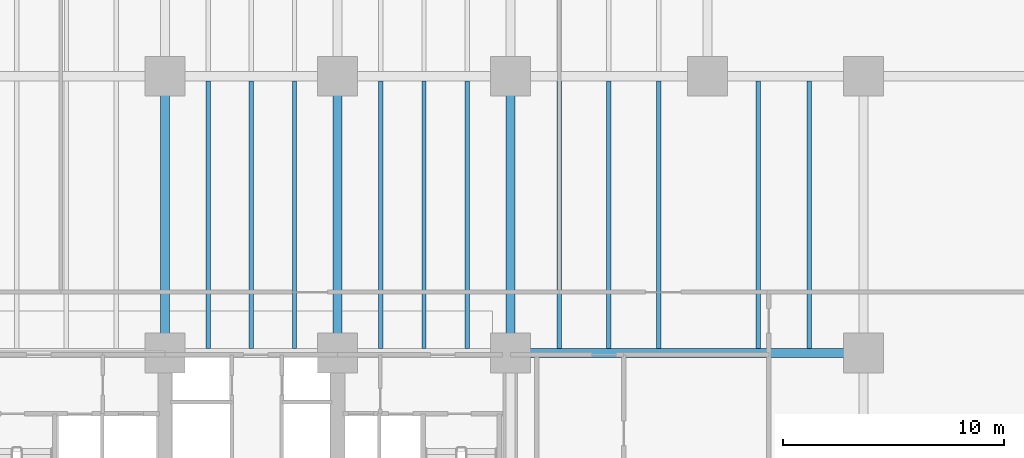
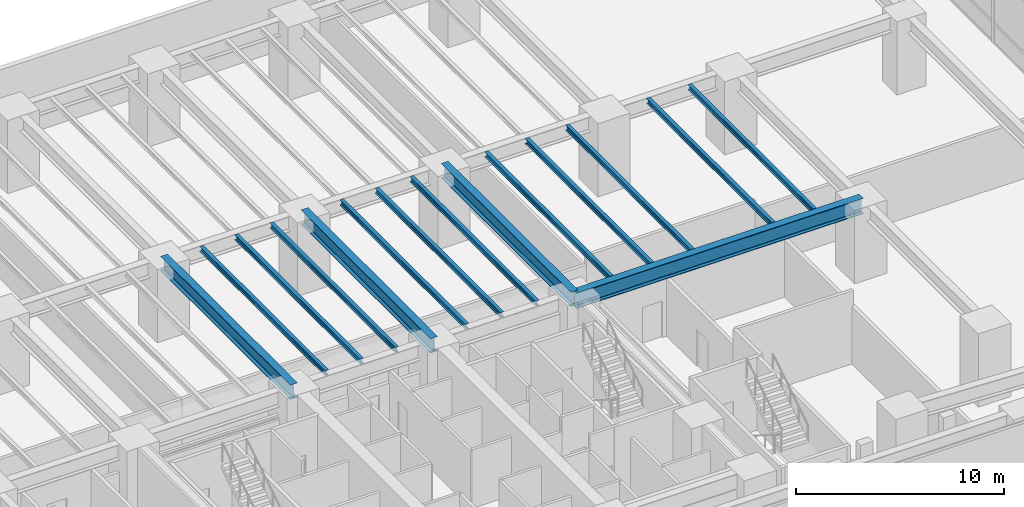
# One storey, part 4 of 27: 15 beams.
"""IFC4 building model written with IfcOpenShell, lengths in metres."""

from ifc_helpers import new_model, si_unit, direction, frame, origin, origin_2d, place, context, subcontext, project, spatial, i_section, extrude, material, material_profile, profile_set, type_object, element, save


model = new_model("IFC4")

# Units and contexts
model_context = context("Model", 3, precision=1e-05, world=origin(), true_north=direction((0.0, 1.0)))
body_context = subcontext(model_context, "Body", "Model", "MODEL_VIEW")
ifc_project = project(units=[si_unit("LENGTHUNIT", "METRE"), si_unit("AREAUNIT", "SQUARE_METRE"), si_unit("VOLUMEUNIT", "CUBIC_METRE"), si_unit("PLANEANGLEUNIT", "RADIAN"), si_unit("MASSUNIT", "GRAM", prefix="KILO")], contexts=[model_context])

# Site, building, storey
site_placement = place(None, origin())
site = spatial("IfcSite", under=ifc_project, at=site_placement, CompositionType="ELEMENT")
building_placement = place(site_placement, origin())
building = spatial("IfcBuilding", under=site, at=building_placement, Name="Qalmaran Belvedere Hotel", CompositionType="ELEMENT")
storey_placement = place(building_placement, frame((0.0, 0.0, 5.39990234375)))
storey = spatial("IfcBuildingStorey", under=building, at=storey_placement, Name="L01", CompositionType="ELEMENT", Elevation=5.39990234375)

# Beams
ifc_material = material(Name="Steel S355JR", Category="steel")
ifc_material_profile_1 = material_profile(ifc_material, i_section(OverallWidth=0.202880859375, OverallDepth=0.302978515625, WebThickness=0.007568359375, FlangeThickness=0.01318359375, FilletRadius=0.012939453125, at=origin_2d()), Name="W310X60")
ifc_profile_set_1 = profile_set([ifc_material_profile_1], Name="Steel S355JR")
beam_type_1 = type_object("IfcBeamType", Name="BM-JST-W310X60", PredefinedType="JOIST", material=ifc_profile_set_1)
for number, where, z_axis, x_axis, name in (
    (1, (31.14990234375, 20.70703125, 4.148681640625), (0.0, 1.0, 0.0), (-1.0, 0.0, 0.0), "L01 Podium South-Ballroom Joist 066"),
    (2, (33.10009765625, 20.70703125, 4.148681640625), (0.0, 1.0, 0.0), (-1.0, 0.0, 0.0), "L01 Podium South-Ballroom Joist 068"),
    (3, (35.050048828125, 20.70703125, 4.148681640625), (0.0, 1.0, 0.0), (-1.0, 0.0, 0.0), "L01 Podium South-Ballroom Joist 070"),
    (4, (38.949951171875, 20.70703125, 4.148681640625), (0.0, 1.0, 0.0), (-1.0, 0.0, 0.0), "L01 Podium South-Ballroom Joist 072"),
    (5, (40.89990234375, 20.70703125, 4.148681640625), (0.0, 1.0, 0.0), (-1.0, 0.0, 0.0), "L01 Podium South-Ballroom Joist 074"),
    (6, (42.85009765625, 20.70703125, 4.148681640625), (0.0, 1.0, 0.0), (-1.0, 0.0, 0.0), "L01 Podium South-Ballroom Joist 076"),
    (7, (47.0, 20.70703125, 4.148681640625), (0.0, 1.0, 0.0), (-1.0, 0.0, 0.0), "L01 Podium South-Ballroom Joist 078"),
    (8, (49.25, 20.70703125, 4.148681640625), (0.0, 1.0, 0.0), (-1.0, 0.0, 0.0), "L01 Podium South-Ballroom Joist 080"),
    (9, (51.5, 20.70703125, 4.148681640625), (0.0, 1.0, 0.0), (-1.0, 0.0, 0.0), "L01 Podium South-Ballroom Joist 082"),
    (10, (56.0, 20.70703125, 4.148681640625), (0.0, 1.0, 0.0), (-1.0, 0.0, 0.0), "L01 Podium South-Ballroom Joist 084"),
    (11, (58.300048828125, 20.70703125, 4.148681640625), (0.0, 1.0, 0.0), (-1.0, 0.0, 0.0), "L01 Podium South-Ballroom Joist 085"),
):
    element("IfcBeam", number, at=place(storey_placement, frame(where, z_axis=z_axis, x_axis=x_axis)), inside=storey, type_object=beam_type_1, Name=name, PredefinedType="JOIST", context=body_context, shape_type="SweptSolid", body=[
        extrude(i_section(OverallWidth=0.202880859375, OverallDepth=0.302978515625, WebThickness=0.007568359375, FlangeThickness=0.01318359375, FilletRadius=0.012939453125, at=origin_2d()), origin(), (0.0, 0.0, 1.0), 12.0859375),
    ])
ifc_material_profile_2 = material_profile(ifc_material, i_section(OverallWidth=0.41796875, OverallDepth=0.912109375, WebThickness=0.019287109375, FlangeThickness=0.031982421875, FilletRadius=0.02392578125, at=origin_2d()), Name="W920X342")
ifc_profile_set_2 = profile_set([ifc_material_profile_2], Name="Steel S355JR")
beam_type_2 = type_object("IfcBeamType", Name="BM-PG2-W920X342", PredefinedType="USERDEFINED", material=ifc_profile_set_2)
beam_placement = place(storey_placement, frame((44.800048828125, 20.5, 3.843994140625), z_axis=(1.0, 0.0, 0.0), x_axis=(0.0, 1.0, 0.0)))
element("IfcBeam", 12, at=beam_placement, inside=storey, type_object=beam_type_2, Name="L01 Podium Primary Girder GX17", ObjectType="GIRDER", PredefinedType="USERDEFINED", context=body_context, shape_type="SweptSolid", body=[
    extrude(i_section(OverallWidth=0.41796875, OverallDepth=0.912109375, WebThickness=0.019287109375, FlangeThickness=0.031982421875, FilletRadius=0.02392578125, at=origin_2d()), origin(), (0.0, 0.0, 1.0), 15.949951171875),
])
ifc_material_profile_3 = material_profile(ifc_material, i_section(OverallWidth=0.39990234375, OverallDepth=0.85498046875, WebThickness=0.018310546875, FlangeThickness=0.029296875, FilletRadius=0.02392578125, at=origin_2d()), Name="W840X299")
ifc_profile_set_3 = profile_set([ifc_material_profile_3], Name="Steel S355JR")
beam_type_3 = type_object("IfcBeamType", Name="BM-PG3-W840X299", PredefinedType="USERDEFINED", material=ifc_profile_set_3)
for number, where, z_axis, x_axis, name in (
    (13, (29.199951171875, 20.5, 3.87255859375), (0.0, 1.0, 0.0), (-1.0, 0.0, 0.0), "L01 Podium Transverse Girder GY42"),
    (14, (37.0, 20.5, 3.87255859375), (0.0, 1.0, 0.0), (-1.0, 0.0, 0.0), "L01 Podium Transverse Girder GY46"),
    (15, (44.800048828125, 20.5, 3.87255859375), (0.0, 1.0, 0.0), (-1.0, 0.0, 0.0), "L01 Podium Transverse Girder GY50"),
):
    element("IfcBeam", number, at=place(storey_placement, frame(where, z_axis=z_axis, x_axis=x_axis)), inside=storey, type_object=beam_type_3, Name=name, ObjectType="GIRDER", PredefinedType="USERDEFINED", context=body_context, shape_type="SweptSolid", body=[
        extrude(i_section(OverallWidth=0.39990234375, OverallDepth=0.85498046875, WebThickness=0.018310546875, FlangeThickness=0.029296875, FilletRadius=0.02392578125, at=origin_2d()), origin(), (0.0, 0.0, 1.0), 12.5),
    ])

save(model, "model.ifc")
